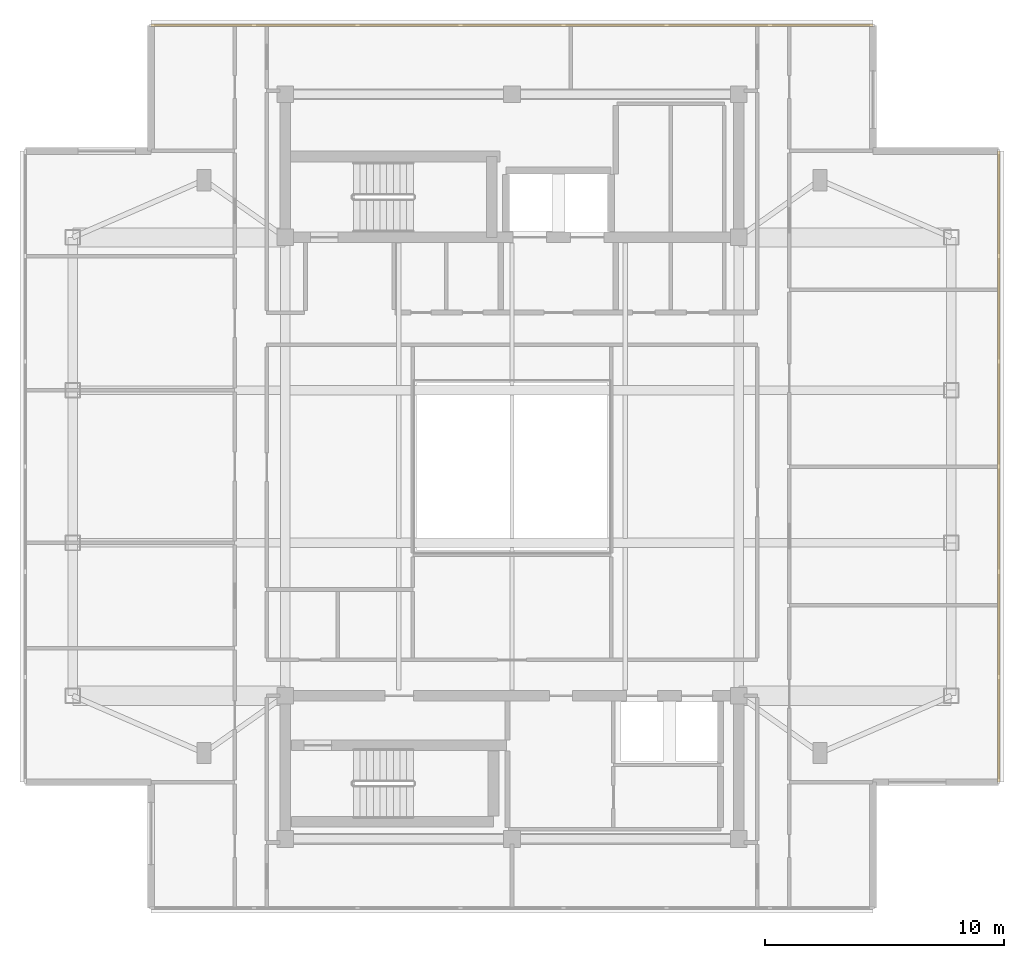
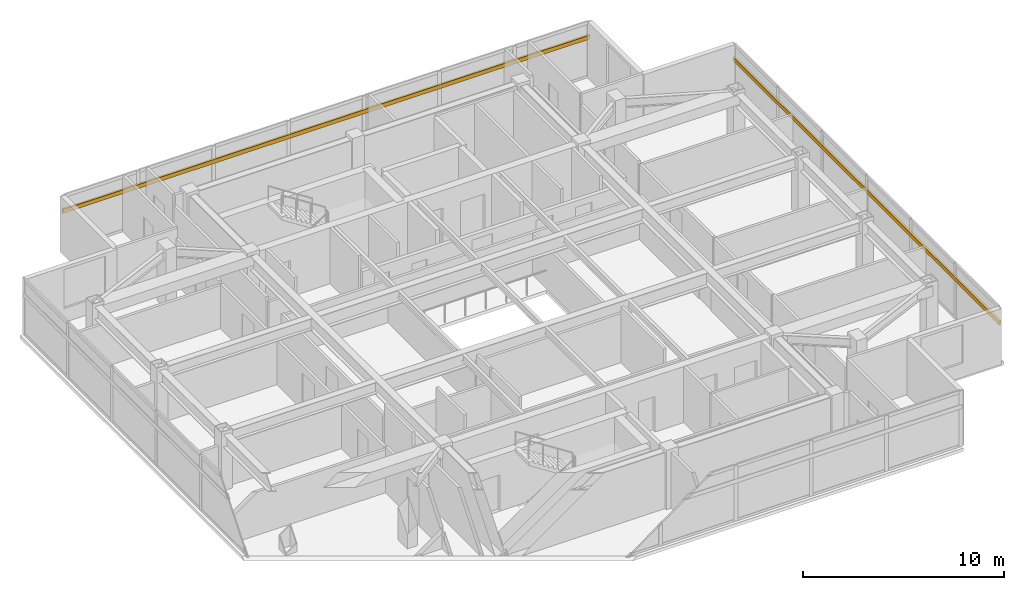
# One storey, part 12 of 12: 2 shading devices.
"""IFC4 building model written with IfcOpenShell, lengths in metres."""

from ifc_helpers import new_model, si_unit, direction, frame, origin, origin_2d, place, context, subcontext, project, spatial, rectangle, extrude, material, material_profile, profile_set, type_object, element, save


model = new_model("IFC4")

# Units and contexts
model_context = context("Model", 3, precision=1e-05, world=origin(), true_north=direction((0.0, 1.0)))
body_context = subcontext(model_context, "Body", "Model", "MODEL_VIEW")
ifc_project = project(units=[si_unit("LENGTHUNIT", "METRE"), si_unit("AREAUNIT", "SQUARE_METRE"), si_unit("VOLUMEUNIT", "CUBIC_METRE"), si_unit("PLANEANGLEUNIT", "RADIAN"), si_unit("MASSUNIT", "GRAM", prefix="KILO")], contexts=[model_context])

# Site, building, storey
site_placement = place(None, origin())
site = spatial("IfcSite", under=ifc_project, at=site_placement, CompositionType="ELEMENT")
building_placement = place(site_placement, origin())
building = spatial("IfcBuilding", under=site, at=building_placement, Name="Mirazonda Arch Towers", CompositionType="ELEMENT")
storey_placement = place(building_placement, frame((0.0, 0.0, 256.300048828125)))
storey = spatial("IfcBuildingStorey", under=building, at=storey_placement, Name="L73", CompositionType="ELEMENT", Elevation=256.300048828125)

# Shading devices
ifc_material = material(Name="Kiln-Fired Architectural Terracotta", Category="masonry")
ifc_material_profile = material_profile(ifc_material, rectangle(XDim=0.1201171875, YDim=0.239990234375, at=origin_2d()), Name="TERRA-BAG-120x240")
ifc_profile_set = profile_set([ifc_material_profile], Name="Kiln-Fired Architectural Terracotta")
shading_device_type = type_object("IfcShadingDeviceType", Name="BAGUETTE-1", PredefinedType="USERDEFINED", material=ifc_profile_set)
shading_device_1_placement = place(storey_placement, frame((40.889892578125, 14.779052734375, 2.43359375), z_axis=(0.0, 1.0, 0.0), x_axis=(-1.0, 0.0, 0.0)))
element("IfcShadingDevice", 1, at=shading_device_1_placement, inside=storey, type_object=shading_device_type, Name="L73 Glazed Terracotta Sun-Screen Baguette CW-L73-T1-E", ObjectType="BAGUETTE", PredefinedType="USERDEFINED", context=body_context, shape_type="SweptSolid", body=[
    extrude(rectangle(XDim=0.1201171875, YDim=0.239990234375, at=origin_2d()), origin(), (0.0, 0.0, 1.0), 26.44189453125),
])
shading_device_2_placement = place(storey_placement, frame((5.375, 46.486083984375, 2.43359375), z_axis=(1.0, 0.0, 0.0), x_axis=(0.0, 1.0, 0.0)))
element("IfcShadingDevice", 2, at=shading_device_2_placement, inside=storey, type_object=shading_device_type, Name="L73 Glazed Terracotta Sun-Screen Baguette CW-L73-T1-N", ObjectType="BAGUETTE", PredefinedType="USERDEFINED", context=body_context, shape_type="SweptSolid", body=[
    extrude(rectangle(XDim=0.1201171875, YDim=0.239990234375, at=origin_2d()), origin(), (0.0, 0.0, 1.0), 30.25),
])

save(model, "model.ifc")
